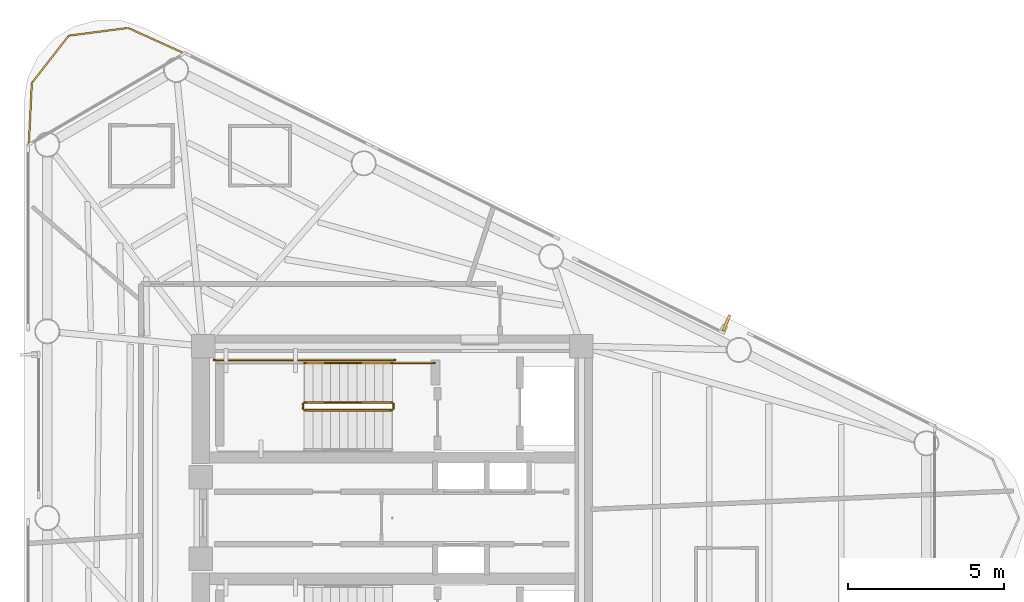
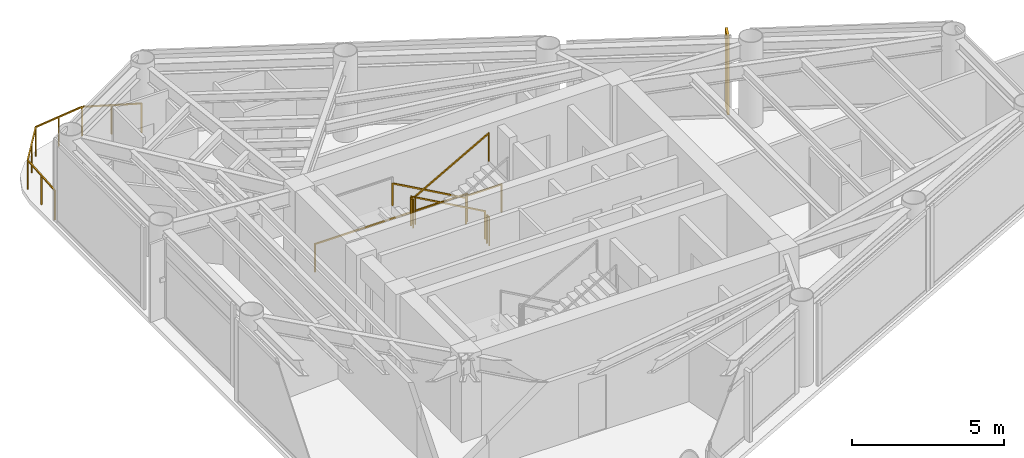
# One storey, part 10 of 10: 8 railings, 1 shading device.
"""IFC4 building model written with IfcOpenShell, lengths in metres."""

from ifc_helpers import new_model, si_unit, direction, frame, origin, origin_2d, place, context, subcontext, project, spatial, rectangle, extrude, source, transform, mapped, material, material_profile, profile_set, type_object, element, save


model = new_model("IFC4")

# Units and contexts
model_context = context("Model", 3, precision=1e-05, world=origin(), true_north=direction((0.0, 1.0)))
body_context = subcontext(model_context, "Body", "Model", "MODEL_VIEW")
ifc_project = project(units=[si_unit("LENGTHUNIT", "METRE"), si_unit("AREAUNIT", "SQUARE_METRE"), si_unit("VOLUMEUNIT", "CUBIC_METRE"), si_unit("PLANEANGLEUNIT", "RADIAN"), si_unit("MASSUNIT", "GRAM", prefix="KILO")], contexts=[model_context])

# Site, building, storey
site_placement = place(None, origin())
site = spatial("IfcSite", under=ifc_project, at=site_placement, CompositionType="ELEMENT")
building_placement = place(site_placement, origin())
building = spatial("IfcBuilding", under=site, at=building_placement, Name="Yunling Apex Tower", CompositionType="ELEMENT")
storey_placement = place(building_placement, frame((0.0, 0.0, 303.64990234375)))
storey = spatial("IfcBuildingStorey", under=building, at=storey_placement, Name="L74", CompositionType="ELEMENT", Elevation=303.64990234375)

# Railings
ifc_material_1 = material(Name="Bronze anodised aluminium", Category="aluminium")
railing_type_1 = type_object("IfcRailingType", Name="RL-BAL-1200", PredefinedType="BALUSTRADE", material=ifc_material_1)
railing_1_placement = place(storey_placement, frame((-11.627197265625, 11.9453125, 0.0)))
element("IfcRailing", 1, at=railing_1_placement, inside=storey, type_object=railing_type_1, Name="RL-CRNSILL-L74-2", PredefinedType="BALUSTRADE", context=body_context, shape_type="SweptSolid", body=[
    extrude(rectangle(XDim=0.0439453125, YDim=0.0439453125, at=origin_2d()), origin(), (0.0, 0.0, 1.0), 1.199951171875),
    extrude(rectangle(XDim=0.0439453125, YDim=0.0439453125, at=origin_2d()), frame((0.095947265625, 1.972412109375, 0.0)), (0.0, 0.0, 1.0), 1.199951171875),
    extrude(rectangle(XDim=0.050048828125, YDim=0.050048828125, at=origin_2d()), frame((0.001953125, 0.038330078125, 1.1748046875), z_axis=(0.048587182269, 0.998818945415, 0.0), x_axis=(-0.998818945415, 0.048587182269, 0.0)), (0.0, 0.0, 1.0), 1.898193359375),
    extrude(rectangle(XDim=0.0439453125, YDim=0.0439453125, at=origin_2d()), frame((0.0478515625, 0.986328125, 0.0)), (0.0, 0.0, 1.0), 1.14599609375),
    extrude(rectangle(XDim=0.0439453125, YDim=0.0439453125, at=origin_2d()), frame((1.27685546875, 3.48828125, 0.0)), (0.0, 0.0, 1.0), 1.199951171875),
    extrude(rectangle(XDim=0.050048828125, YDim=0.050048828125, at=origin_2d()), frame((0.119384765625, 2.002685546875, 1.1748046875), z_axis=(0.61455614591, 0.788873084548, 0.0), x_axis=(-0.788873084548, 0.61455614591, 0.0)), (0.0, 0.0, 1.0), 1.844970703125),
    extrude(rectangle(XDim=0.0439453125, YDim=0.0439453125, at=origin_2d()), frame((0.6865234375, 2.73046875, 0.0)), (0.0, 0.0, 1.0), 1.14599609375),
    extrude(rectangle(XDim=0.0439453125, YDim=0.0439453125, at=origin_2d()), frame((3.176513671875, 3.734375, 0.0)), (0.0, 0.0, 1.0), 1.199951171875),
    extrude(rectangle(XDim=0.050048828125, YDim=0.050048828125, at=origin_2d()), frame((1.31494140625, 3.4931640625, 1.1748046875), z_axis=(0.991713034877, 0.128472784881, 0.0), x_axis=(-0.128472784881, 0.991713034877, 0.0)), (0.0, 0.0, 1.0), 1.8388671875),
    extrude(rectangle(XDim=0.0439453125, YDim=0.0439453125, at=origin_2d()), frame((2.2265625, 3.611328125, 0.0)), (0.0, 0.0, 1.0), 1.14599609375),
    extrude(rectangle(XDim=0.0439453125, YDim=0.0439453125, at=origin_2d()), frame((4.97607421875, 2.919677734375, 0.0)), (0.0, 0.0, 1.0), 1.199951171875),
    extrude(rectangle(XDim=0.050048828125, YDim=0.050048828125, at=origin_2d()), frame((3.21142578125, 3.718505859375, 1.1748046875), z_axis=(0.910991856267, -0.412424341929, 0.0), x_axis=(0.412424341929, 0.910991856267, 0.0)), (0.0, 0.0, 1.0), 1.898681640625),
    extrude(rectangle(XDim=0.0439453125, YDim=0.0439453125, at=origin_2d()), frame((4.076171875, 3.3271484375, 0.0)), (0.0, 0.0, 1.0), 1.14599609375),
])
ifc_material_2 = material(Name="Steel Q355B", Category="steel")
railing_type_2 = type_object("IfcRailingType", Name="RL-GRD-1150", PredefinedType="GUARDRAIL", material=ifc_material_2)
railing_2_placement = place(storey_placement, frame((-0.010009765625, 3.699951171875, 0.156982421875)))
element("IfcRailing", 2, at=railing_2_placement, inside=storey, type_object=railing_type_2, Name="L74 ST-1 stair guard 1", PredefinedType="GUARDRAIL", context=body_context, shape_type="SweptSolid", body=[
    extrude(rectangle(XDim=0.0439453125, YDim=0.0439453125, at=origin_2d()), origin(), (0.0, 0.0, 1.0), 1.14990234375),
    extrude(rectangle(XDim=0.0439453125, YDim=0.0439453125, at=origin_2d()), frame((-2.800048828125, 0.0, 1.568115234375)), (0.0, 0.0, 1.0), 1.14990234375),
    extrude(rectangle(XDim=0.050048828125, YDim=0.050048828125, at=origin_2d()), frame((-0.033447265625, 0.0, 1.1435546875), z_axis=(-0.872494340497, 0.0, 0.48862421737), x_axis=(0.0, -1.0, 0.0)), (0.0, 0.0, 1.0), 3.132568359375),
])
railing_3_placement = place(storey_placement, frame((-2.860107421875, 3.64990234375, 1.72509765625)))
element("IfcRailing", 3, at=railing_3_placement, inside=storey, type_object=railing_type_2, Name="L74 ST-1 stair guard 2", PredefinedType="GUARDRAIL", context=body_context, shape_type="SweptSolid", body=[
    extrude(rectangle(XDim=0.0439453125, YDim=0.0439453125, at=origin_2d()), origin(), (0.0, 0.0, 1.0), 1.14990234375),
    extrude(rectangle(XDim=0.0439453125, YDim=0.0439453125, at=origin_2d()), frame((0.0, -0.14990234375, 0.0)), (0.0, 0.0, 1.0), 1.14990234375),
    extrude(rectangle(XDim=0.050048828125, YDim=0.050048828125, at=origin_2d()), frame((0.0, -0.038330078125, 1.125), z_axis=(0.0, -1.0, 0.0), x_axis=(1.0, 0.0, 0.0)), (0.0, 0.0, 1.0), 0.0732421875),
])
railing_4_placement = place(storey_placement, frame((-2.81005859375, 3.449951171875, 1.8818359375)))
element("IfcRailing", 4, at=railing_4_placement, inside=storey, type_object=railing_type_2, Name="L74 ST-1 stair guard 4", PredefinedType="GUARDRAIL", context=body_context, shape_type="SweptSolid", body=[
    extrude(rectangle(XDim=0.0439453125, YDim=0.0439453125, at=origin_2d()), origin(), (0.0, 0.0, 1.0), 1.14990234375),
    extrude(rectangle(XDim=0.0439453125, YDim=0.0439453125, at=origin_2d()), frame((2.800048828125, 0.0, 1.568359375)), (0.0, 0.0, 1.0), 1.14990234375),
    extrude(rectangle(XDim=0.050048828125, YDim=0.050048828125, at=origin_2d()), frame((0.033447265625, 0.0, 1.1435546875), z_axis=(0.872461907711, 0.0, 0.488682125306), x_axis=(0.0, 1.0, 0.0)), (0.0, 0.0, 1.0), 3.1328125),
])
railing_5_placement = place(storey_placement, frame((0.0400390625, 3.64990234375, 0.0)))
element("IfcRailing", 5, at=railing_5_placement, inside=storey, type_object=railing_type_2, Name="L74 ST-1 stair guard 5", PredefinedType="GUARDRAIL", context=body_context, shape_type="SweptSolid", body=[
    extrude(rectangle(XDim=0.0439453125, YDim=0.0439453125, at=origin_2d()), origin(), (0.0, 0.0, 1.0), 1.14990234375),
    extrude(rectangle(XDim=0.0439453125, YDim=0.0439453125, at=origin_2d()), frame((0.0, -0.14990234375, 0.0)), (0.0, 0.0, 1.0), 1.14990234375),
    extrude(rectangle(XDim=0.050048828125, YDim=0.050048828125, at=origin_2d()), frame((0.0, -0.038330078125, 1.125), z_axis=(0.0, -1.0, 0.0), x_axis=(1.0, 0.0, 0.0)), (0.0, 0.0, 1.0), 0.0732421875),
])
railing_6_placement = place(storey_placement, frame((1.35009765625, 4.9599609375, 0.0)))
element("IfcRailing", 6, at=railing_6_placement, inside=storey, type_object=railing_type_2, Name="L74 ST-1 stair guard 6", PredefinedType="GUARDRAIL", context=body_context, shape_type="SweptSolid", body=[
    extrude(rectangle(XDim=0.0439453125, YDim=0.0439453125, at=origin_2d()), origin(), (0.0, 0.0, 1.0), 1.14990234375),
    extrude(rectangle(XDim=0.0439453125, YDim=0.0439453125, at=origin_2d()), frame((-1.360107421875, 0.0, 0.0)), (0.0, 0.0, 1.0), 1.14990234375),
    extrude(rectangle(XDim=0.050048828125, YDim=0.050048828125, at=origin_2d()), frame((-0.038330078125, 0.0, 1.125), z_axis=(-1.0, 0.0, 0.0), x_axis=(0.0, -1.0, 0.0)), (0.0, 0.0, 1.0), 1.283447265625),
])
railing_7_placement = place(storey_placement, frame((0.090087890625, 5.06005859375, 0.0)))
element("IfcRailing", 7, at=railing_7_placement, inside=storey, type_object=railing_type_2, Name="L74 ST-1 stair guard 7", PredefinedType="GUARDRAIL", context=body_context, shape_type="SweptSolid", body=[
    extrude(rectangle(XDim=0.0439453125, YDim=0.0439453125, at=origin_2d()), origin(), (0.0, 0.0, 1.0), 1.14990234375),
    extrude(rectangle(XDim=0.0439453125, YDim=0.0439453125, at=origin_2d()), frame((-5.7900390625, 0.0, 0.0)), (0.0, 0.0, 1.0), 1.14990234375),
    extrude(rectangle(XDim=0.050048828125, YDim=0.050048828125, at=origin_2d()), frame((-0.038330078125, 0.0, 1.125), z_axis=(-1.0, 0.0, 0.0), x_axis=(0.0, -1.0, 0.0)), (0.0, 0.0, 1.0), 5.71337890625),
])
ifc_material_3 = material(Name="Silver anodised aluminium", Category="aluminium")
railing_type_3 = type_object("IfcRailingType", Name="RL-HND-900", PredefinedType="HANDRAIL", material=ifc_material_3)
railing_8_placement = place(storey_placement, frame((-0.010009765625, 4.9599609375, 0.156982421875)))
element("IfcRailing", 8, at=railing_8_placement, inside=storey, type_object=railing_type_3, Name="L74 ST-1 stair handrail 1", PredefinedType="HANDRAIL", context=body_context, shape_type="SweptSolid", body=[
    extrude(rectangle(XDim=0.0439453125, YDim=0.0439453125, at=origin_2d()), origin(), (0.0, 0.0, 1.0), 0.919921875),
    extrude(rectangle(XDim=0.0439453125, YDim=0.0439453125, at=origin_2d()), frame((-2.800048828125, 0.0, 1.568115234375)), (0.0, 0.0, 1.0), 0.919921875),
    extrude(rectangle(XDim=0.050048828125, YDim=0.050048828125, at=origin_2d()), frame((-0.033447265625, 0.0, 0.91357421875), z_axis=(-0.872494340497, 0.0, 0.48862421737), x_axis=(0.0, -1.0, 0.0)), (0.0, 0.0, 1.0), 3.132568359375),
])

# Shading device
ifc_material_profile = material_profile(ifc_material_1, rectangle(XDim=0.0849609375, YDim=0.550048828125, at=origin_2d()))
ifc_profile_set = profile_set([ifc_material_profile], Name="Bronze anodised aluminium")
shading_device_type = type_object("IfcShadingDeviceType", Name="FN-BRZ-3", PredefinedType="USERDEFINED", material=ifc_profile_set)
shared_shape = source(origin(), body_context, "Body", "SweptSolid", [
    extrude(rectangle(XDim=0.0849609375, YDim=0.550048828125, at=origin_2d()), origin(), (0.0, 0.0, 1.0), 3.14990234375),
])
shading_device_placement = place(storey_placement, frame((10.689208984375, 6.240234375, 0.06005859375), z_axis=(0.0, 0.0, 1.0), x_axis=(-0.922470722095, 0.386067049717, 0.0)))
element("IfcShadingDevice", 9, at=shading_device_placement, inside=storey, type_object=shading_device_type, Name="CW-L74-F2-B2-FIN-01", ObjectType="FIN", PredefinedType="USERDEFINED", context=body_context, shape_type="MappedRepresentation", body=[
    mapped(shared_shape, transform((0.0, 0.0, 0.0), scale=1.0)),
])

save(model, "model.ifc")
